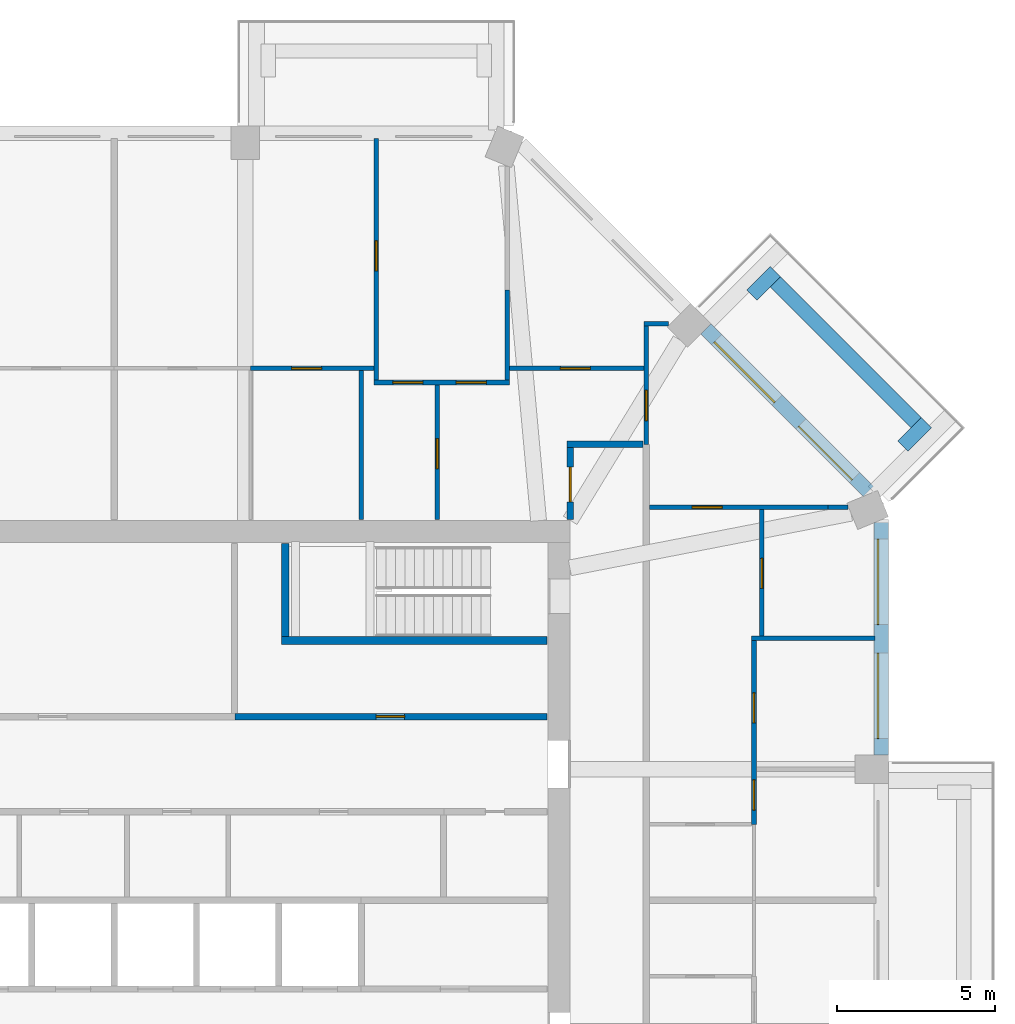
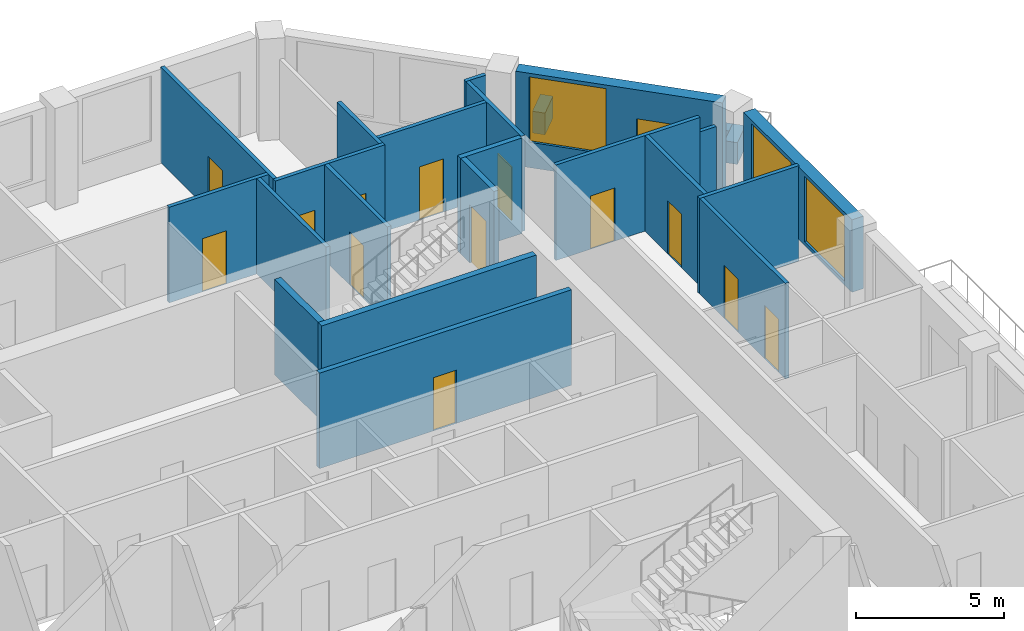
# One storey, part 9 of 12: 24 walls, 14 doors, 3 windows, 17 openings.
"""IFC4 building model written with IfcOpenShell, lengths in metres."""

from ifc_helpers import new_model, si_unit, direction, frame, frame_2d, origin, place, context, subcontext, project, spatial, rectangle, extrude, material, layer, layer_set, type_object, element, fill, save


model = new_model("IFC4")

# Units and contexts
model_context = context("Model", 3, precision=1e-05, world=origin(), true_north=direction((0.0, 1.0)))
body_context = subcontext(model_context, "Body", "Model", "MODEL_VIEW")
ifc_project = project(units=[si_unit("LENGTHUNIT", "METRE"), si_unit("AREAUNIT", "SQUARE_METRE"), si_unit("VOLUMEUNIT", "CUBIC_METRE"), si_unit("PLANEANGLEUNIT", "RADIAN"), si_unit("MASSUNIT", "GRAM", prefix="KILO")], contexts=[model_context])

# Site, building, storey
site_placement = place(None, origin())
site = spatial("IfcSite", under=ifc_project, at=site_placement, CompositionType="ELEMENT")
building_placement = place(site_placement, origin())
building = spatial("IfcBuilding", under=site, at=building_placement, Name="Msitu Wima Residences", CompositionType="ELEMENT")
storey_placement = place(building_placement, frame((0.0, 0.0, 179.10009765625)))
storey = spatial("IfcBuildingStorey", under=building, at=storey_placement, Name="L41", CompositionType="ELEMENT", Elevation=179.10009765625)

# Walls
ifc_material_1 = material(Name="Facing brick")
ifc_layer_1 = layer(ifc_material_1, 0.06494140625, Name="Facing brick")
ifc_material_2 = material(Name="Concrete C40/50", Category="concrete")
ifc_layer_2 = layer(ifc_material_2, 0.156005859375, Name="Concrete C40/50")
ifc_material_3 = material(Name="Waterproofing membrane")
ifc_layer_3 = layer(ifc_material_3, 0.00390625, Name="Waterproofing membrane")
ifc_material_4 = material(Name="Planting soil and planting")
ifc_layer_4 = layer(ifc_material_4, 0.22509765625, Name="Planting soil and planting")
ifc_layer_set_1 = layer_set([ifc_layer_1, ifc_layer_2, ifc_layer_3, ifc_layer_4], Name="Concrete C40/50")
wall_type_1 = type_object("IfcWallType", Name="Balcony planter PLANTER PL450", PredefinedType="USERDEFINED", material=ifc_layer_set_1)
wall_1_placement = place(storey_placement, frame((25.325927734375, 15.0810546875, 0.0), z_axis=(0.0, 0.0, 1.0), x_axis=(-0.707106781187, 0.707106781187, 0.0)))
element("IfcWall", 1, at=wall_1_placement, inside=storey, type_object=wall_type_1, Name="Balcony planter NE0 L41", ObjectType="PLANTER", PredefinedType="USERDEFINED", context=body_context, shape_type="SweptSolid", body=[
    extrude(rectangle(XDim=6.294189453125, YDim=0.449951171875, at=frame_2d((3.14697265625, 0.0))), origin(), (0.0, 0.0, 1.0), 0.89990234375),
])
for number, where, z_axis, x_axis, name in (
    (2, (24.901611328125, 14.338623046875, 0.0), (0.0, 0.0, 1.0), (0.707106781187, 0.707106781187, 0.0), "Balcony planter NE0 L41"),
    (3, (20.1328125, 19.107421875, 0.0), (0.0, 0.0, 1.0), (0.707106781187, 0.707106781187, 0.0), "Balcony planter NE0 L41"),
):
    element("IfcWall", number, at=place(storey_placement, frame(where, z_axis=z_axis, x_axis=x_axis)), inside=storey, type_object=wall_type_1, Name=name, ObjectType="PLANTER", PredefinedType="USERDEFINED", context=body_context, shape_type="SweptSolid", body=[
        extrude(rectangle(XDim=1.050048828125, YDim=0.449951171875, at=frame_2d((0.52490234375, 0.0))), origin(), (0.0, 0.0, 1.0), 0.89990234375),
    ])

# Wall, openings, windows
ifc_material_5 = material(Name="Brick (red buff mix)", Category="masonry")
ifc_layer_5 = layer(ifc_material_5, 0.449951171875)
ifc_layer_set_2 = layer_set([ifc_layer_5], Name="Brick (red buff mix)")
wall_type_2 = type_object("IfcWallType", Name="Brick infill wall BW450", PredefinedType="SOLIDWALL", material=ifc_layer_set_2)
wall_2_placement = place(storey_placement, frame((24.22509765625, 4.587158203125, 0.89990234375), z_axis=(0.0, 0.0, 1.0), x_axis=(0.0, 1.0, 0.0)))
wall_2 = element("IfcWall", 4, at=wall_2_placement, inside=storey, type_object=wall_type_2, Name="Brick infill wall L41 E2", PredefinedType="SOLIDWALL", context=body_context, shape_type="SweptSolid", body=[
    extrude(rectangle(XDim=7.337646484375, YDim=0.449951171875, at=frame_2d((3.6689453125, 0.0))), origin(), (0.0, 0.0, 1.0), 3.0),
])
opening_1_placement = place(wall_2_placement, frame((0.518798828125, 0.0, 0.14990234375)))
opening_1 = element("IfcOpeningElement", 5, at=opening_1_placement, cuts=wall_2, Name="Opening W40-42.004", PredefinedType="OPENING", context=body_context, shape_type="SweptSolid", body=[
    extrude(rectangle(XDim=2.699951171875, YDim=2.699951171875, at=frame_2d((1.35009765625, 1.35009765625))), frame((0.0, 0.23486328125, 0.0), z_axis=(0.0, -1.0, 0.0), x_axis=(1.0, 0.0, 0.0)), (0.0, 0.0, 1.0), 0.469970703125),
])
opening_2_placement = place(wall_2_placement, frame((4.11865234375, 0.0, 0.14990234375)))
opening_2 = element("IfcOpeningElement", 6, at=opening_2_placement, cuts=wall_2, Name="Opening W40-42.005", PredefinedType="OPENING", context=body_context, shape_type="SweptSolid", body=[
    extrude(rectangle(XDim=2.699951171875, YDim=2.699951171875, at=frame_2d((1.35009765625, 1.35009765625))), frame((0.0, 0.23486328125, 0.0), z_axis=(0.0, -1.0, 0.0), x_axis=(1.0, 0.0, 0.0)), (0.0, 0.0, 1.0), 0.469970703125),
])
ifc_material_6 = material(Name="Anodised aluminium, bronze finish, clear low-emissivity double glazing", Category="aluminium")
window_type = type_object("IfcWindowType", Name="Window W2700x2700", PartitioningType="DOUBLE_PANEL_VERTICAL", PredefinedType="WINDOW", material=ifc_material_6)
window_1_placement = place(opening_1_placement, origin())
window_1 = element("IfcWindow", 7, at=window_1_placement, inside=storey, type_object=window_type, Name="Window L41 E2.1", OverallHeight=2.699951171875, OverallWidth=2.699951171875, PartitioningType="SINGLE_PANEL", PredefinedType="WINDOW", context=body_context, shape_type="SweptSolid", body=[
    extrude(rectangle(XDim=2.699951171875, YDim=2.699951171875, at=frame_2d((1.35009765625, 1.35009765625))), frame((0.0, 0.135009765625, 0.0), z_axis=(0.0, -1.0, 0.0), x_axis=(1.0, 0.0, 0.0)), (0.0, 0.0, 1.0), 0.06005859375),
])
fill(opening_1, window_1)
window_2_placement = place(opening_2_placement, origin())
window_2 = element("IfcWindow", 8, at=window_2_placement, inside=storey, type_object=window_type, Name="Window L41 E2.2", OverallHeight=2.699951171875, OverallWidth=2.699951171875, PartitioningType="SINGLE_PANEL", PredefinedType="WINDOW", context=body_context, shape_type="SweptSolid", body=[
    extrude(rectangle(XDim=2.699951171875, YDim=2.699951171875, at=frame_2d((1.35009765625, 1.35009765625))), frame((0.0, 0.135009765625, 0.0), z_axis=(0.0, -1.0, 0.0), x_axis=(1.0, 0.0, 0.0)), (0.0, 0.0, 1.0), 0.06005859375),
])
fill(opening_2, window_2)

# Wall, openings, door, window
wall_3_placement = place(storey_placement, frame((23.814697265625, 12.915283203125, 0.0), z_axis=(0.0, 0.0, 1.0), x_axis=(-0.707106781187, 0.707106781187, 0.0)))
wall_3 = element("IfcWall", 9, at=wall_3_placement, inside=storey, type_object=wall_type_2, Name="Brick infill wall L41 NE0", PredefinedType="SOLIDWALL", context=body_context, shape_type="SweptSolid", body=[
    extrude(rectangle(XDim=7.257080078125, YDim=0.449951171875, at=frame_2d((3.62841796875, 0.0))), origin(), (0.0, 0.0, 1.0), 3.89990234375),
])
opening_3_placement = place(wall_3_placement, frame((0.6142578125, 0.0, 0.0)))
opening_3 = element("IfcOpeningElement", 10, at=opening_3_placement, cuts=wall_3, Name="Opening D40-42.004", PredefinedType="OPENING", context=body_context, shape_type="SweptSolid", body=[
    extrude(rectangle(XDim=2.39990234375, YDim=2.699951171875, at=frame_2d((1.199951171875, 1.35009765625))), frame((0.0, 0.23486328125, 0.0), z_axis=(0.0, -1.0, 0.0), x_axis=(1.0, 0.0, 0.0)), (0.0, 0.0, 1.0), 0.469970703125),
])
opening_4_placement = place(wall_3_placement, frame((4.07861328125, 0.0, 1.050048828125)))
opening_4 = element("IfcOpeningElement", 11, at=opening_4_placement, cuts=wall_3, Name="Opening W40-42.010", PredefinedType="OPENING", context=body_context, shape_type="SweptSolid", body=[
    extrude(rectangle(XDim=2.699951171875, YDim=2.699951171875, at=frame_2d((1.35009765625, 1.35009765625))), frame((0.0, 0.23486328125, 0.0), z_axis=(0.0, -1.0, 0.0), x_axis=(1.0, 0.0, 0.0)), (0.0, 0.0, 1.0), 0.469970703125),
])
door_type_1 = type_object("IfcDoorType", Name="Balcony door D2400x2700", OperationType="SLIDING_TO_LEFT", PredefinedType="DOOR", material=ifc_material_6)
door_1_placement = place(opening_3_placement, origin())
door_1 = element("IfcDoor", 12, at=door_1_placement, inside=storey, type_object=door_type_1, Name="Balcony door L41 NE0", OperationType="SINGLE_SWING_LEFT", OverallHeight=2.699951171875, OverallWidth=2.39990234375, PredefinedType="DOOR", context=body_context, shape_type="SweptSolid", body=[
    extrude(rectangle(XDim=2.39990234375, YDim=2.699951171875, at=frame_2d((1.199951171875, 1.35009765625))), frame((0.0, 0.1298828125, 0.0), z_axis=(0.0, -1.0, 0.0), x_axis=(1.0, 0.0, 0.0)), (0.0, 0.0, 1.0), 0.050048828125),
])
fill(opening_3, door_1)
window_3_placement = place(opening_4_placement, origin())
window_3 = element("IfcWindow", 13, at=window_3_placement, inside=storey, type_object=window_type, Name="Window L41 NE0.2", OverallHeight=2.699951171875, OverallWidth=2.699951171875, PartitioningType="SINGLE_PANEL", PredefinedType="WINDOW", context=body_context, shape_type="SweptSolid", body=[
    extrude(rectangle(XDim=2.699951171875, YDim=2.699951171875, at=frame_2d((1.35009765625, 1.35009765625))), frame((0.0, 0.135009765625, 0.0), z_axis=(0.0, -1.0, 0.0), x_axis=(1.0, 0.0, 0.0)), (0.0, 0.0, 1.0), 0.06005859375),
])
fill(opening_4, window_3)

# Wall, opening, door
ifc_material_7 = material(Name="Plaster")
ifc_layer_6 = layer(ifc_material_7, 0.011962890625, Name="Plaster")
ifc_material_8 = material(Name="Concrete blockwork", Category="masonry")
ifc_layer_7 = layer(ifc_material_8, 0.176025390625, Name="Concrete blockwork")
ifc_layer_8 = layer(ifc_material_7, 0.011962890625, Name="Plaster")
ifc_layer_set_3 = layer_set([ifc_layer_6, ifc_layer_7, ifc_layer_8], Name="Concrete blockwork")
wall_type_3 = type_object("IfcWallType", Name="Corridor wall FW200", PredefinedType="PARTITIONING", material=ifc_layer_set_3)
wall_4_placement = place(storey_placement, frame((14.39990234375, 12.030029296875, 0.0), z_axis=(0.0, 0.0, 1.0), x_axis=(0.0, 1.0, 0.0)))
wall_4 = element("IfcWall", 14, at=wall_4_placement, inside=storey, type_object=wall_type_3, Name="Corridor wall", PredefinedType="PARTITIONING", context=body_context, shape_type="SweptSolid", body=[
    extrude(rectangle(XDim=2.27001953125, YDim=0.199951171875, at=frame_2d((1.135009765625, 0.0))), origin(), (0.0, 0.0, 1.0), 3.949951171875),
])
opening_5_placement = place(wall_4_placement, frame((0.550048828125, 0.0, 0.0)))
opening_5 = element("IfcOpeningElement", 15, at=opening_5_placement, cuts=wall_4, Name="Opening D40-42.011", PredefinedType="OPENING", context=body_context, shape_type="SweptSolid", body=[
    extrude(rectangle(XDim=1.10009765625, YDim=2.39990234375, at=frame_2d((0.550048828125, 1.199951171875))), frame((0.0, 0.10986328125, 0.0), z_axis=(0.0, -1.0, 0.0), x_axis=(1.0, 0.0, 0.0)), (0.0, 0.0, 1.0), 0.219970703125),
])
ifc_material_9 = material(Name="Timber flush door, fire resisting, self-closing", Category="wood")
door_type_2 = type_object("IfcDoorType", Name="Flat entrance door D01 1100x2400", OperationType="SINGLE_SWING_LEFT", PredefinedType="DOOR", material=ifc_material_9)
door_2_placement = place(opening_5_placement, origin())
door_2 = element("IfcDoor", 16, at=door_2_placement, inside=storey, type_object=door_type_2, Name="Flat entrance door", OperationType="SINGLE_SWING_LEFT", OverallHeight=2.39990234375, OverallWidth=1.10009765625, PredefinedType="DOOR", context=body_context, shape_type="SweptSolid", body=[
    extrude(rectangle(XDim=1.10009765625, YDim=2.39990234375, at=frame_2d((0.550048828125, 1.199951171875))), frame((0.0, 0.02490234375, 0.0), z_axis=(0.0, -1.0, 0.0), x_axis=(1.0, 0.0, 0.0)), (0.0, 0.0, 1.0), 0.050048828125),
])
fill(opening_5, door_2)

# Wall
wall_5_placement = place(storey_placement, frame((14.300048828125, 14.39990234375, 0.0), z_axis=(0.0, 0.0, 1.0), x_axis=(1.0, 0.0, 0.0)))
element("IfcWall", 17, at=wall_5_placement, inside=storey, type_object=wall_type_3, Name="Corridor wall", PredefinedType="PARTITIONING", context=body_context, shape_type="SweptSolid", body=[
    extrude(rectangle(XDim=2.39990234375, YDim=0.199951171875, at=frame_2d((1.199951171875, 0.0))), origin(), (0.0, 0.0, 1.0), 3.949951171875),
])

# Wall, opening, door
ifc_layer_9 = layer(ifc_material_7, 0.011962890625, Name="Plaster")
ifc_layer_10 = layer(ifc_material_8, 0.1259765625, Name="Concrete blockwork")
ifc_layer_11 = layer(ifc_material_7, 0.011962890625, Name="Plaster")
ifc_layer_set_4 = layer_set([ifc_layer_9, ifc_layer_10, ifc_layer_11], Name="Concrete blockwork")
wall_type_4 = type_object("IfcWallType", Name="Partition PW150", PredefinedType="PARTITIONING", material=ifc_layer_set_4)
wall_6_placement = place(storey_placement, frame((4.300048828125, 16.800048828125, 0.0), z_axis=(0.0, 0.0, 1.0), x_axis=(1.0, 0.0, 0.0)))
wall_6 = element("IfcWall", 18, at=wall_6_placement, inside=storey, type_object=wall_type_4, Name="Partition", PredefinedType="PARTITIONING", context=body_context, shape_type="SweptSolid", body=[
    extrude(rectangle(XDim=3.8994140625, YDim=0.14990234375, at=frame_2d((1.94970703125, 0.0))), origin(), (0.0, 0.0, 1.0), 3.949951171875),
])
opening_6_placement = place(wall_6_placement, frame((1.300048828125, 0.0, 0.0)))
opening_6 = element("IfcOpeningElement", 19, at=opening_6_placement, cuts=wall_6, Name="Opening D40-42.014", PredefinedType="OPENING", context=body_context, shape_type="SweptSolid", body=[
    extrude(rectangle(XDim=0.949951171875, YDim=2.199951171875, at=frame_2d((0.47509765625, 1.10009765625))), frame((0.0, 0.0849609375, 0.0), z_axis=(0.0, -1.0, 0.0), x_axis=(1.0, 0.0, 0.0)), (0.0, 0.0, 1.0), 0.169921875),
])
ifc_material_10 = material(Name="Timber flush door", Category="wood")
door_type_3 = type_object("IfcDoorType", Name="Room door D12 950x2200", OperationType="SINGLE_SWING_LEFT", PredefinedType="DOOR", material=ifc_material_10)
door_3_placement = place(opening_6_placement, origin())
door_3 = element("IfcDoor", 20, at=door_3_placement, inside=storey, type_object=door_type_3, Name="Room door", OperationType="SINGLE_SWING_RIGHT", OverallHeight=2.199951171875, OverallWidth=0.949951171875, PredefinedType="DOOR", context=body_context, shape_type="SweptSolid", body=[
    extrude(rectangle(XDim=0.949951171875, YDim=2.199951171875, at=frame_2d((0.47509765625, 1.10009765625))), frame((0.0, 0.02490234375, 0.0), z_axis=(0.0, -1.0, 0.0), x_axis=(1.0, 0.0, 0.0)), (0.0, 0.0, 1.0), 0.050048828125),
])
fill(opening_6, door_3)

# Wall
wall_7_placement = place(storey_placement, frame((7.800048828125, 12.030029296875, 0.0), z_axis=(0.0, 0.0, 1.0), x_axis=(0.0, 1.0, 0.0)))
element("IfcWall", 21, at=wall_7_placement, inside=storey, type_object=wall_type_4, Name="Partition", PredefinedType="PARTITIONING", context=body_context, shape_type="SweptSolid", body=[
    extrude(rectangle(XDim=4.695068359375, YDim=0.14990234375, at=frame_2d((2.34765625, 0.0))), origin(), (0.0, 0.0, 1.0), 3.949951171875),
])

# Wall, opening, door
wall_8_placement = place(storey_placement, frame((8.2744140625, 16.425048828125, 0.0), z_axis=(0.0, 0.0, 1.0), x_axis=(0.0, 1.0, 0.0)))
wall_8 = element("IfcWall", 22, at=wall_8_placement, inside=storey, type_object=wall_type_4, Name="Partition", PredefinedType="PARTITIONING", context=body_context, shape_type="SweptSolid", body=[
    extrude(rectangle(XDim=7.6298828125, YDim=0.14990234375, at=frame_2d((3.81494140625, 0.0))), origin(), (0.0, 0.0, 1.0), 3.949951171875),
])
opening_7_placement = place(wall_8_placement, frame((3.449951171875, 0.0, 0.0)))
opening_7 = element("IfcOpeningElement", 23, at=opening_7_placement, cuts=wall_8, Name="Opening D40-42.020", PredefinedType="OPENING", context=body_context, shape_type="SweptSolid", body=[
    extrude(rectangle(XDim=0.949951171875, YDim=2.199951171875, at=frame_2d((0.47509765625, 1.10009765625))), frame((0.0, 0.0849609375, 0.0), z_axis=(0.0, -1.0, 0.0), x_axis=(1.0, 0.0, 0.0)), (0.0, 0.0, 1.0), 0.169921875),
])
door_4_placement = place(opening_7_placement, origin())
door_4 = element("IfcDoor", 24, at=door_4_placement, inside=storey, type_object=door_type_3, Name="Room door", OperationType="SINGLE_SWING_RIGHT", OverallHeight=2.199951171875, OverallWidth=0.949951171875, PredefinedType="DOOR", context=body_context, shape_type="SweptSolid", body=[
    extrude(rectangle(XDim=0.949951171875, YDim=2.199951171875, at=frame_2d((0.47509765625, 1.10009765625))), frame((0.0, 0.02490234375, 0.0), z_axis=(0.0, -1.0, 0.0), x_axis=(1.0, 0.0, 0.0)), (0.0, 0.0, 1.0), 0.050048828125),
])
fill(opening_7, door_4)

# Wall, openings, doors
wall_9_placement = place(storey_placement, frame((8.199462890625, 16.35009765625, 0.0), z_axis=(0.0, 0.0, 1.0), x_axis=(1.0, 0.0, 0.0)))
wall_9 = element("IfcWall", 25, at=wall_9_placement, inside=storey, type_object=wall_type_4, Name="Partition", PredefinedType="PARTITIONING", context=body_context, shape_type="SweptSolid", body=[
    extrude(rectangle(XDim=4.287353515625, YDim=0.14990234375, at=frame_2d((2.1435546875, 0.0))), origin(), (0.0, 0.0, 1.0), 3.949951171875),
])
opening_8_placement = place(wall_9_placement, frame((2.60009765625, 0.0, 0.0)))
opening_8 = element("IfcOpeningElement", 26, at=opening_8_placement, cuts=wall_9, Name="Opening D40-42.017", PredefinedType="OPENING", context=body_context, shape_type="SweptSolid", body=[
    extrude(rectangle(XDim=0.949951171875, YDim=2.199951171875, at=frame_2d((0.47509765625, 1.10009765625))), frame((0.0, 0.0849609375, 0.0), z_axis=(0.0, -1.0, 0.0), x_axis=(1.0, 0.0, 0.0)), (0.0, 0.0, 1.0), 0.169921875),
])
opening_9_placement = place(wall_9_placement, frame((0.60009765625, 0.0, 0.0)))
opening_9 = element("IfcOpeningElement", 27, at=opening_9_placement, cuts=wall_9, Name="Opening D40-42.016", PredefinedType="OPENING", context=body_context, shape_type="SweptSolid", body=[
    extrude(rectangle(XDim=0.949951171875, YDim=2.199951171875, at=frame_2d((0.47509765625, 1.10009765625))), frame((0.0, 0.0849609375, 0.0), z_axis=(0.0, -1.0, 0.0), x_axis=(1.0, 0.0, 0.0)), (0.0, 0.0, 1.0), 0.169921875),
])
door_5_placement = place(opening_8_placement, origin())
door_5 = element("IfcDoor", 28, at=door_5_placement, inside=storey, type_object=door_type_3, Name="Room door", OperationType="SINGLE_SWING_RIGHT", OverallHeight=2.199951171875, OverallWidth=0.949951171875, PredefinedType="DOOR", context=body_context, shape_type="SweptSolid", body=[
    extrude(rectangle(XDim=0.949951171875, YDim=2.199951171875, at=frame_2d((0.47509765625, 1.10009765625))), frame((0.0, 0.02490234375, 0.0), z_axis=(0.0, -1.0, 0.0), x_axis=(1.0, 0.0, 0.0)), (0.0, 0.0, 1.0), 0.050048828125),
])
fill(opening_8, door_5)
door_6_placement = place(opening_9_placement, origin())
door_6 = element("IfcDoor", 29, at=door_6_placement, inside=storey, type_object=door_type_3, Name="Room door", OperationType="SINGLE_SWING_LEFT", OverallHeight=2.199951171875, OverallWidth=0.949951171875, PredefinedType="DOOR", context=body_context, shape_type="SweptSolid", body=[
    extrude(rectangle(XDim=0.949951171875, YDim=2.199951171875, at=frame_2d((0.47509765625, 1.10009765625))), frame((0.0, 0.02490234375, 0.0), z_axis=(0.0, -1.0, 0.0), x_axis=(1.0, 0.0, 0.0)), (0.0, 0.0, 1.0), 0.050048828125),
])
fill(opening_9, door_6)

# Wall, opening, door
wall_10_placement = place(storey_placement, frame((10.199951171875, 12.030029296875, 0.0), z_axis=(0.0, 0.0, 1.0), x_axis=(0.0, 1.0, 0.0)))
wall_10 = element("IfcWall", 30, at=wall_10_placement, inside=storey, type_object=wall_type_4, Name="Partition", PredefinedType="PARTITIONING", context=body_context, shape_type="SweptSolid", body=[
    extrude(rectangle(XDim=4.244873046875, YDim=0.14990234375, at=frame_2d((2.12255859375, 0.0))), origin(), (0.0, 0.0, 1.0), 3.949951171875),
])
opening_10_placement = place(wall_10_placement, frame((1.60009765625, 0.0, 0.0)))
opening_10 = element("IfcOpeningElement", 31, at=opening_10_placement, cuts=wall_10, Name="Opening D40-42.012", PredefinedType="OPENING", context=body_context, shape_type="SweptSolid", body=[
    extrude(rectangle(XDim=0.949951171875, YDim=2.199951171875, at=frame_2d((0.47509765625, 1.10009765625))), frame((0.0, 0.0849609375, 0.0), z_axis=(0.0, -1.0, 0.0), x_axis=(1.0, 0.0, 0.0)), (0.0, 0.0, 1.0), 0.169921875),
])
door_7_placement = place(opening_10_placement, origin())
door_7 = element("IfcDoor", 32, at=door_7_placement, inside=storey, type_object=door_type_3, Name="Room door", OperationType="SINGLE_SWING_LEFT", OverallHeight=2.199951171875, OverallWidth=0.949951171875, PredefinedType="DOOR", context=body_context, shape_type="SweptSolid", body=[
    extrude(rectangle(XDim=0.949951171875, YDim=2.199951171875, at=frame_2d((0.47509765625, 1.10009765625))), frame((0.0, 0.02490234375, 0.0), z_axis=(0.0, -1.0, 0.0), x_axis=(1.0, 0.0, 0.0)), (0.0, 0.0, 1.0), 0.050048828125),
])
fill(opening_10, door_7)

# Wall
wall_11_placement = place(storey_placement, frame((12.411865234375, 16.425048828125, 0.0), z_axis=(0.0, 0.0, 1.0), x_axis=(0.0, 1.0, 0.0)))
element("IfcWall", 33, at=wall_11_placement, inside=storey, type_object=wall_type_4, Name="Partition", PredefinedType="PARTITIONING", context=body_context, shape_type="SweptSolid", body=[
    extrude(rectangle(XDim=2.845458984375, YDim=0.14990234375, at=frame_2d((1.4228515625, 0.0))), origin(), (0.0, 0.0, 1.0), 3.949951171875),
])

# Wall, opening, door
wall_12_placement = place(storey_placement, frame((12.48681640625, 16.800048828125, 0.0), z_axis=(0.0, 0.0, 1.0), x_axis=(1.0, 0.0, 0.0)))
wall_12 = element("IfcWall", 34, at=wall_12_placement, inside=storey, type_object=wall_type_4, Name="Partition", PredefinedType="PARTITIONING", context=body_context, shape_type="SweptSolid", body=[
    extrude(rectangle(XDim=4.23828125, YDim=0.14990234375, at=frame_2d((2.119140625, 0.0))), origin(), (0.0, 0.0, 1.0), 3.949951171875),
])
opening_11_placement = place(wall_12_placement, frame((1.60009765625, 0.0, 0.0)))
opening_11 = element("IfcOpeningElement", 35, at=opening_11_placement, cuts=wall_12, Name="Opening D40-42.018", PredefinedType="OPENING", context=body_context, shape_type="SweptSolid", body=[
    extrude(rectangle(XDim=0.949951171875, YDim=2.199951171875, at=frame_2d((0.47509765625, 1.10009765625))), frame((0.0, 0.0849609375, 0.0), z_axis=(0.0, -1.0, 0.0), x_axis=(1.0, 0.0, 0.0)), (0.0, 0.0, 1.0), 0.169921875),
])
door_8_placement = place(opening_11_placement, origin())
door_8 = element("IfcDoor", 36, at=door_8_placement, inside=storey, type_object=door_type_3, Name="Room door", OperationType="SINGLE_SWING_LEFT", OverallHeight=2.199951171875, OverallWidth=0.949951171875, PredefinedType="DOOR", context=body_context, shape_type="SweptSolid", body=[
    extrude(rectangle(XDim=0.949951171875, YDim=2.199951171875, at=frame_2d((0.47509765625, 1.10009765625))), frame((0.0, 0.02490234375, 0.0), z_axis=(0.0, -1.0, 0.0), x_axis=(1.0, 0.0, 0.0)), (0.0, 0.0, 1.0), 0.050048828125),
])
fill(opening_11, door_8)

wall_13_placement = place(storey_placement, frame((16.89990234375, 12.411865234375, 0.0), z_axis=(0.0, 0.0, 1.0), x_axis=(1.0, 0.0, 0.0)))
wall_13 = element("IfcWall", 37, at=wall_13_placement, inside=storey, type_object=wall_type_4, Name="Partition", PredefinedType="PARTITIONING", context=body_context, shape_type="SweptSolid", body=[
    extrude(rectangle(XDim=5.638427734375, YDim=0.14990234375, at=frame_2d((2.8193359375, 0.0))), origin(), (0.0, 0.0, 1.0), 3.949951171875),
])
opening_12_placement = place(wall_13_placement, frame((1.35009765625, 0.0, 0.0)))
opening_12 = element("IfcOpeningElement", 38, at=opening_12_placement, cuts=wall_13, Name="Opening D40-42.021", PredefinedType="OPENING", context=body_context, shape_type="SweptSolid", body=[
    extrude(rectangle(XDim=0.949951171875, YDim=2.199951171875, at=frame_2d((0.47509765625, 1.10009765625))), frame((0.0, 0.0849609375, 0.0), z_axis=(0.0, -1.0, 0.0), x_axis=(1.0, 0.0, 0.0)), (0.0, 0.0, 1.0), 0.169921875),
])
door_9_placement = place(opening_12_placement, origin())
door_9 = element("IfcDoor", 39, at=door_9_placement, inside=storey, type_object=door_type_3, Name="Room door", OperationType="SINGLE_SWING_LEFT", OverallHeight=2.199951171875, OverallWidth=0.949951171875, PredefinedType="DOOR", context=body_context, shape_type="SweptSolid", body=[
    extrude(rectangle(XDim=0.949951171875, YDim=2.199951171875, at=frame_2d((0.47509765625, 1.10009765625))), frame((0.0, 0.02490234375, 0.0), z_axis=(0.0, -1.0, 0.0), x_axis=(1.0, 0.0, 0.0)), (0.0, 0.0, 1.0), 0.050048828125),
])
fill(opening_12, door_9)

# Wall
wall_14_placement = place(storey_placement, frame((22.538330078125, 12.411865234375, 0.0), z_axis=(0.0, 0.0, 1.0), x_axis=(1.0, 0.0, 0.0)))
element("IfcWall", 40, at=wall_14_placement, inside=storey, type_object=wall_type_4, Name="Partition", PredefinedType="PARTITIONING", context=body_context, shape_type="SweptSolid", body=[
    extrude(rectangle(XDim=0.630615234375, YDim=0.14990234375, at=frame_2d((0.3154296875, 0.0))), origin(), (0.0, 0.0, 1.0), 3.349853515625),
])

# Wall, opening, door
wall_15_placement = place(storey_placement, frame((16.800048828125, 14.39990234375, 0.0), z_axis=(0.0, 0.0, 1.0), x_axis=(0.0, 1.0, 0.0)))
wall_15 = element("IfcWall", 41, at=wall_15_placement, inside=storey, type_object=wall_type_4, Name="Partition", PredefinedType="PARTITIONING", context=body_context, shape_type="SweptSolid", body=[
    extrude(rectangle(XDim=3.73095703125, YDim=0.14990234375, at=frame_2d((1.865478515625, 0.0))), origin(), (0.0, 0.0, 1.0), 3.949951171875),
])
opening_13_placement = place(wall_15_placement, frame((0.75, 0.0, 0.0)))
opening_13 = element("IfcOpeningElement", 42, at=opening_13_placement, cuts=wall_15, Name="Opening D40-42.019", PredefinedType="OPENING", context=body_context, shape_type="SweptSolid", body=[
    extrude(rectangle(XDim=0.949951171875, YDim=2.199951171875, at=frame_2d((0.47509765625, 1.10009765625))), frame((0.0, 0.0849609375, 0.0), z_axis=(0.0, -1.0, 0.0), x_axis=(1.0, 0.0, 0.0)), (0.0, 0.0, 1.0), 0.169921875),
])
door_10_placement = place(opening_13_placement, origin())
door_10 = element("IfcDoor", 43, at=door_10_placement, inside=storey, type_object=door_type_3, Name="Room door", OperationType="SINGLE_SWING_LEFT", OverallHeight=2.199951171875, OverallWidth=0.949951171875, PredefinedType="DOOR", context=body_context, shape_type="SweptSolid", body=[
    extrude(rectangle(XDim=0.949951171875, YDim=2.199951171875, at=frame_2d((0.47509765625, 1.10009765625))), frame((0.0, 0.02490234375, 0.0), z_axis=(0.0, -1.0, 0.0), x_axis=(1.0, 0.0, 0.0)), (0.0, 0.0, 1.0), 0.050048828125),
])
fill(opening_13, door_10)

# Wall
wall_16_placement = place(storey_placement, frame((16.72509765625, 18.205810546875, 0.0), z_axis=(0.0, 0.0, 1.0), x_axis=(1.0, 0.0, 0.0)))
element("IfcWall", 44, at=wall_16_placement, inside=storey, type_object=wall_type_4, Name="Partition", PredefinedType="PARTITIONING", context=body_context, shape_type="SweptSolid", body=[
    extrude(rectangle(XDim=0.784423828125, YDim=0.14990234375, at=frame_2d((0.39208984375, 0.0))), origin(), (0.0, 0.0, 1.0), 3.949951171875),
])

# Wall, openings, doors
wall_17_placement = place(storey_placement, frame((20.199951171875, 2.39990234375, 0.0), z_axis=(0.0, 0.0, 1.0), x_axis=(0.0, 1.0, 0.0)))
wall_17 = element("IfcWall", 45, at=wall_17_placement, inside=storey, type_object=wall_type_4, Name="Partition", PredefinedType="PARTITIONING", context=body_context, shape_type="SweptSolid", body=[
    extrude(rectangle(XDim=5.799560546875, YDim=0.14990234375, at=frame_2d((2.89990234375, 0.0))), origin(), (0.0, 0.0, 1.0), 3.949951171875),
])
opening_14_placement = place(wall_17_placement, frame((0.449951171875, 0.0, 0.0)))
opening_14 = element("IfcOpeningElement", 46, at=opening_14_placement, cuts=wall_17, Name="Opening D40-42.022", PredefinedType="OPENING", context=body_context, shape_type="SweptSolid", body=[
    extrude(rectangle(XDim=0.949951171875, YDim=2.199951171875, at=frame_2d((0.47509765625, 1.10009765625))), frame((0.0, 0.0849609375, 0.0), z_axis=(0.0, -1.0, 0.0), x_axis=(1.0, 0.0, 0.0)), (0.0, 0.0, 1.0), 0.169921875),
])
opening_15_placement = place(wall_17_placement, frame((3.199951171875, 0.0, 0.0)))
opening_15 = element("IfcOpeningElement", 47, at=opening_15_placement, cuts=wall_17, Name="Opening D40-42.023", PredefinedType="OPENING", context=body_context, shape_type="SweptSolid", body=[
    extrude(rectangle(XDim=0.949951171875, YDim=2.199951171875, at=frame_2d((0.47509765625, 1.10009765625))), frame((0.0, 0.0849609375, 0.0), z_axis=(0.0, -1.0, 0.0), x_axis=(1.0, 0.0, 0.0)), (0.0, 0.0, 1.0), 0.169921875),
])
door_11_placement = place(opening_14_placement, origin())
door_11 = element("IfcDoor", 48, at=door_11_placement, inside=storey, type_object=door_type_3, Name="Room door", OperationType="SINGLE_SWING_LEFT", OverallHeight=2.199951171875, OverallWidth=0.949951171875, PredefinedType="DOOR", context=body_context, shape_type="SweptSolid", body=[
    extrude(rectangle(XDim=0.949951171875, YDim=2.199951171875, at=frame_2d((0.47509765625, 1.10009765625))), frame((0.0, 0.02490234375, 0.0), z_axis=(0.0, -1.0, 0.0), x_axis=(1.0, 0.0, 0.0)), (0.0, 0.0, 1.0), 0.050048828125),
])
fill(opening_14, door_11)
door_12_placement = place(opening_15_placement, origin())
door_12 = element("IfcDoor", 49, at=door_12_placement, inside=storey, type_object=door_type_3, Name="Room door", OperationType="SINGLE_SWING_RIGHT", OverallHeight=2.199951171875, OverallWidth=0.949951171875, PredefinedType="DOOR", context=body_context, shape_type="SweptSolid", body=[
    extrude(rectangle(XDim=0.949951171875, YDim=2.199951171875, at=frame_2d((0.47509765625, 1.10009765625))), frame((0.0, 0.02490234375, 0.0), z_axis=(0.0, -1.0, 0.0), x_axis=(1.0, 0.0, 0.0)), (0.0, 0.0, 1.0), 0.050048828125),
])
fill(opening_15, door_12)

# Wall
wall_18_placement = place(storey_placement, frame((20.125, 8.2744140625, 0.0), z_axis=(0.0, 0.0, 1.0), x_axis=(1.0, 0.0, 0.0)))
element("IfcWall", 50, at=wall_18_placement, inside=storey, type_object=wall_type_4, Name="Partition", PredefinedType="PARTITIONING", context=body_context, shape_type="SweptSolid", body=[
    extrude(rectangle(XDim=3.89990234375, YDim=0.14990234375, at=frame_2d((1.949951171875, 0.0))), origin(), (0.0, 0.0, 1.0), 3.949951171875),
])

# Wall, opening, door
wall_19_placement = place(storey_placement, frame((20.449951171875, 8.349609375, 0.0), z_axis=(0.0, 0.0, 1.0), x_axis=(0.0, 1.0, 0.0)))
wall_19 = element("IfcWall", 51, at=wall_19_placement, inside=storey, type_object=wall_type_4, Name="Partition", PredefinedType="PARTITIONING", context=body_context, shape_type="SweptSolid", body=[
    extrude(rectangle(XDim=3.987060546875, YDim=0.14990234375, at=frame_2d((1.99365234375, 0.0))), origin(), (0.0, 0.0, 1.0), 3.949951171875),
])
opening_16_placement = place(wall_19_placement, frame((1.5, 0.0, 0.0)))
opening_16 = element("IfcOpeningElement", 52, at=opening_16_placement, cuts=wall_19, Name="Opening D40-42.024", PredefinedType="OPENING", context=body_context, shape_type="SweptSolid", body=[
    extrude(rectangle(XDim=0.949951171875, YDim=2.199951171875, at=frame_2d((0.47509765625, 1.10009765625))), frame((0.0, 0.0849609375, 0.0), z_axis=(0.0, -1.0, 0.0), x_axis=(1.0, 0.0, 0.0)), (0.0, 0.0, 1.0), 0.169921875),
])
door_13_placement = place(opening_16_placement, origin())
door_13 = element("IfcDoor", 53, at=door_13_placement, inside=storey, type_object=door_type_3, Name="Room door", OperationType="SINGLE_SWING_LEFT", OverallHeight=2.199951171875, OverallWidth=0.949951171875, PredefinedType="DOOR", context=body_context, shape_type="SweptSolid", body=[
    extrude(rectangle(XDim=0.949951171875, YDim=2.199951171875, at=frame_2d((0.47509765625, 1.10009765625))), frame((0.0, 0.02490234375, 0.0), z_axis=(0.0, -1.0, 0.0), x_axis=(1.0, 0.0, 0.0)), (0.0, 0.0, 1.0), 0.050048828125),
])
fill(opening_16, door_13)

ifc_layer_12 = layer(ifc_material_7, 0.011962890625, Name="Plaster")
ifc_material_11 = material(Name="Reinforced concrete blockwork", Category="masonry")
ifc_layer_13 = layer(ifc_material_11, 0.176025390625, Name="Reinforced concrete blockwork")
ifc_layer_14 = layer(ifc_material_7, 0.011962890625, Name="Plaster")
ifc_layer_set_5 = layer_set([ifc_layer_12, ifc_layer_13, ifc_layer_14], Name="Reinforced concrete blockwork")
wall_type_5 = type_object("IfcWallType", Name="Plant and riser wall PL200", PredefinedType="PARTITIONING", material=ifc_layer_set_5)
wall_20_placement = place(storey_placement, frame((3.820068359375, 5.800048828125, 0.0), z_axis=(0.0, 0.0, 1.0), x_axis=(1.0, 0.0, 0.0)))
wall_20 = element("IfcWall", 54, at=wall_20_placement, inside=storey, type_object=wall_type_5, Name="Plant and riser wall", PredefinedType="PARTITIONING", context=body_context, shape_type="SweptSolid", body=[
    extrude(rectangle(XDim=9.849853515625, YDim=0.199951171875, at=frame_2d((4.9248046875, 0.0))), origin(), (0.0, 0.0, 1.0), 3.949951171875),
])
opening_17_placement = place(wall_20_placement, frame((4.449951171875, 0.0, 0.0)))
opening_17 = element("IfcOpeningElement", 55, at=opening_17_placement, cuts=wall_20, Name="Opening D40-42.073", PredefinedType="OPENING", context=body_context, shape_type="SweptSolid", body=[
    extrude(rectangle(XDim=0.89990234375, YDim=2.199951171875, at=frame_2d((0.449951171875, 1.10009765625))), frame((0.0, 0.10986328125, 0.0), z_axis=(0.0, -1.0, 0.0), x_axis=(1.0, 0.0, 0.0)), (0.0, 0.0, 1.0), 0.219970703125),
])
door_type_4 = type_object("IfcDoorType", Name="Service door D05 900x2200", OperationType="SINGLE_SWING_LEFT", PredefinedType="DOOR", material=ifc_material_10)
door_14_placement = place(opening_17_placement, origin())
door_14 = element("IfcDoor", 56, at=door_14_placement, inside=storey, type_object=door_type_4, Name="Service door", OperationType="SINGLE_SWING_LEFT", OverallHeight=2.199951171875, OverallWidth=0.89990234375, PredefinedType="DOOR", context=body_context, shape_type="SweptSolid", body=[
    extrude(rectangle(XDim=0.89990234375, YDim=2.199951171875, at=frame_2d((0.449951171875, 1.10009765625))), frame((0.0, 0.02490234375, 0.0), z_axis=(0.0, -1.0, 0.0), x_axis=(1.0, 0.0, 0.0)), (0.0, 0.0, 1.0), 0.050048828125),
])
fill(opening_17, door_14)

# Walls
ifc_material_12 = material(Name="Concrete C50/60", Category="concrete")
ifc_layer_15 = layer(ifc_material_12, 0.25)
ifc_layer_set_6 = layer_set([ifc_layer_15], Name="Concrete C50/60")
wall_type_6 = type_object("IfcWallType", Name="Stair enclosure wall SW250", PredefinedType="SHEAR", material=ifc_layer_set_6)
wall_21_placement = place(storey_placement, frame((5.39990234375, 8.324951171875, 0.0), z_axis=(0.0, 0.0, 1.0), x_axis=(0.0, 1.0, 0.0)))
element("IfcWall", 57, at=wall_21_placement, inside=storey, type_object=wall_type_6, Name="Stair enclosure wall", PredefinedType="SHEAR", context=body_context, shape_type="SweptSolid", body=[
    extrude(rectangle(XDim=2.945068359375, YDim=0.25, at=frame_2d((1.47265625, 0.0))), origin(), (0.0, 0.0, 1.0), 3.949951171875),
])
wall_22_placement = place(storey_placement, frame((5.27490234375, 8.199951171875, 0.0), z_axis=(0.0, 0.0, 1.0), x_axis=(1.0, 0.0, 0.0)))
element("IfcWall", 58, at=wall_22_placement, inside=storey, type_object=wall_type_6, Name="Stair enclosure wall", PredefinedType="SHEAR", context=body_context, shape_type="SweptSolid", body=[
    extrude(rectangle(XDim=8.39501953125, YDim=0.25, at=frame_2d((4.197509765625, 0.0))), origin(), (0.0, 0.0, 1.0), 3.949951171875),
])

save(model, "model.ifc")
